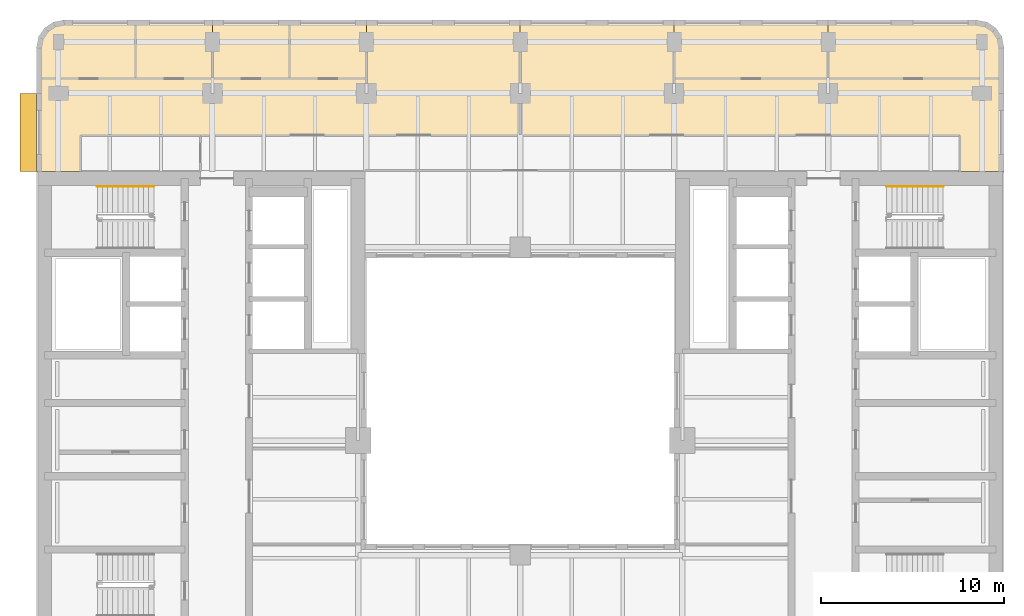
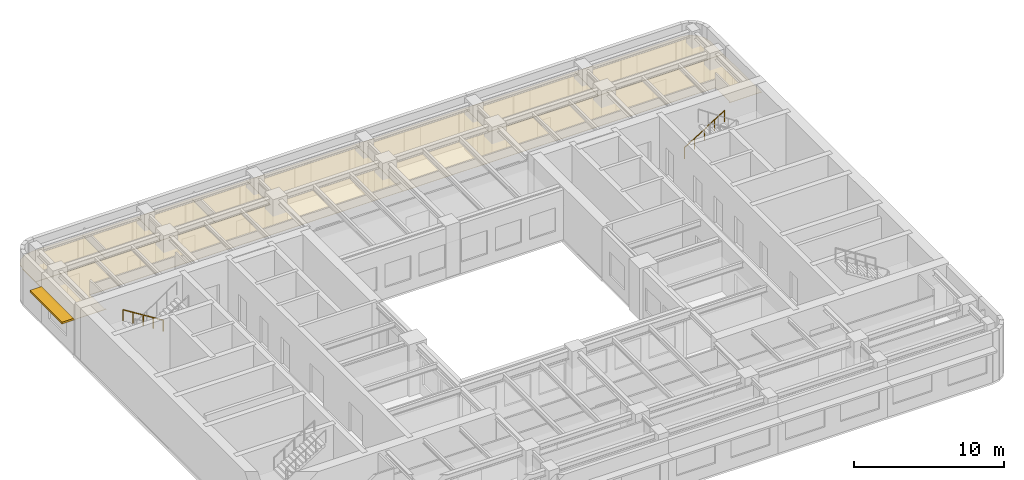
# One storey, part 11 of 11: 8 coverings, 2 railings, 1 shading device.
"""IFC4 building model written with IfcOpenShell, lengths in metres."""

from ifc_helpers import new_model, si_unit, direction, frame, origin, origin_2d, place, context, subcontext, project, spatial, polyline, rectangle, circle, outline, extrude, material, layer, layer_set, type_object, element, save


model = new_model("IFC4")

# Units and contexts
model_context = context("Model", 3, precision=1e-05, world=origin(), true_north=direction((0.0, 1.0)))
body_context = subcontext(model_context, "Body", "Model", "MODEL_VIEW")
ifc_project = project(units=[si_unit("LENGTHUNIT", "METRE"), si_unit("AREAUNIT", "SQUARE_METRE"), si_unit("VOLUMEUNIT", "CUBIC_METRE"), si_unit("PLANEANGLEUNIT", "RADIAN"), si_unit("MASSUNIT", "GRAM", prefix="KILO")], contexts=[model_context])

# Site, building, storey
site_placement = place(None, origin())
site = spatial("IfcSite", under=ifc_project, at=site_placement, CompositionType="ELEMENT")
building_placement = place(site_placement, origin())
building = spatial("IfcBuilding", under=site, at=building_placement, Name="Claustro Exchange Tower", CompositionType="ELEMENT")
storey_placement = place(building_placement, frame((0.0, 0.0, 198.60009765625)))
storey = spatial("IfcBuildingStorey", under=building, at=storey_placement, Name="L45", CompositionType="ELEMENT", Elevation=198.60009765625)

# Coverings
ifc_material_1 = material(Name="Perforated metal ceiling tiles", Category="steel")
ifc_layer_1 = layer(ifc_material_1, 0.030029296875)
ifc_layer_set_1 = layer_set([ifc_layer_1], Name="Perforated metal ceiling tiles")
covering_type_1 = type_object("IfcCoveringType", Name="CL1 suspended metal ceiling", PredefinedType="CEILING", material=ifc_layer_set_1)
covering_1_placement = place(storey_placement, frame((0.0, 0.0, 2.7998046875)))
element("IfcCovering", 1, at=covering_1_placement, inside=storey, type_object=covering_type_1, Name="Ceiling CL1 L45-17", PredefinedType="CEILING", context=body_context, shape_type="SweptSolid", body=[
    extrude(outline(polyline([(-1.125, 37.72509765625), (1.294921875, 37.72509765625), (1.294921875, 37.800048828125), (1.199951171875, 37.800048828125), (1.199951171875, 39.699951171875), (25.199951171875, 39.699951171875), (25.199951171875, 46.0), (16.800048828125, 46.0), (16.800048828125, 42.800048828125), (-1.199951171875, 42.800048828125), (-1.199951171875, 37.705078125), (-1.125, 37.705078125), (-1.125, 37.72509765625)])), origin(), (0.0, 0.0, 1.0), 0.030029296875),
])
ifc_material_2 = material(Name="Gypsum board ceiling", Category="gypsum board")
ifc_layer_2 = layer(ifc_material_2, 0.02490234375)
ifc_layer_set_2 = layer_set([ifc_layer_2], Name="Gypsum board ceiling")
covering_type_2 = type_object("IfcCoveringType", Name="CL2 plasterboard ceiling", PredefinedType="CEILING", material=ifc_layer_set_2)
covering_2_placement = place(storey_placement, frame((0.0, 0.0, 2.7998046875)))
element("IfcCovering", 2, at=covering_2_placement, inside=storey, type_object=covering_type_2, Name="Ceiling CL2 L45-18", PredefinedType="CEILING", context=body_context, shape_type="SweptSolid", body=[
    extrude(outline(polyline([(51.52490234375, 37.72509765625), (51.52490234375, 37.705078125), (51.60009765625, 37.705078125), (51.60009765625, 42.800048828125), (33.60009765625, 42.800048828125), (33.60009765625, 46.0), (25.199951171875, 46.0), (25.199951171875, 39.699951171875), (49.199951171875, 39.699951171875), (49.199951171875, 37.800048828125), (49.10498046875, 37.800048828125), (49.10498046875, 37.72509765625), (51.52490234375, 37.72509765625)])), origin(), (0.0, 0.0, 1.0), 0.025146484375),
])
covering_3_placement = place(storey_placement, frame((0.0, 0.0, 2.7998046875)))
element("IfcCovering", 3, at=covering_3_placement, inside=storey, type_object=covering_type_2, Name="Ceiling CL2 L45-19", PredefinedType="CEILING", context=body_context, shape_type="SweptSolid", body=[
    extrude(outline(polyline([(-1.199951171875, 44.5), (-1.199951171875, 42.800048828125), (4.199951171875, 42.800048828125), (4.199951171875, 46.0), (0.300048828125, 46.0), (-0.27392578125, 45.8857421875), (-0.7607421875, 45.560791015625), (-1.085693359375, 45.073974609375), (-1.199951171875, 44.5)])), origin(), (0.0, 0.0, 1.0), 0.025146484375),
])
covering_4_placement = place(storey_placement, frame((0.0, 0.0, 2.7998046875)))
element("IfcCovering", 4, at=covering_4_placement, inside=storey, type_object=covering_type_2, Name="Ceiling CL2 L45-20", PredefinedType="CEILING", context=body_context, shape_type="SweptSolid", body=[
    extrude(outline(polyline([(8.39990234375, 46.0), (4.199951171875, 46.0), (4.199951171875, 42.800048828125), (8.39990234375, 42.800048828125), (8.39990234375, 46.0)])), origin(), (0.0, 0.0, 1.0), 0.025146484375),
])
covering_5_placement = place(storey_placement, frame((0.0, 0.0, 2.7998046875)))
element("IfcCovering", 5, at=covering_5_placement, inside=storey, type_object=covering_type_2, Name="Ceiling CL2 L45-21", PredefinedType="CEILING", context=body_context, shape_type="SweptSolid", body=[
    extrude(outline(polyline([(12.60009765625, 46.0), (8.39990234375, 46.0), (8.39990234375, 42.800048828125), (12.60009765625, 42.800048828125), (12.60009765625, 46.0)])), origin(), (0.0, 0.0, 1.0), 0.025146484375),
])
covering_6_placement = place(storey_placement, frame((0.0, 0.0, 2.7998046875)))
element("IfcCovering", 6, at=covering_6_placement, inside=storey, type_object=covering_type_2, Name="Ceiling CL2 L45-22", PredefinedType="CEILING", context=body_context, shape_type="SweptSolid", body=[
    extrude(outline(polyline([(16.800048828125, 46.0), (12.60009765625, 46.0), (12.60009765625, 42.800048828125), (16.800048828125, 42.800048828125), (16.800048828125, 46.0)])), origin(), (0.0, 0.0, 1.0), 0.025146484375),
])
covering_7_placement = place(storey_placement, frame((0.0, 0.0, 2.7998046875)))
element("IfcCovering", 7, at=covering_7_placement, inside=storey, type_object=covering_type_2, Name="Ceiling CL2 L45-23", PredefinedType="CEILING", context=body_context, shape_type="SweptSolid", body=[
    extrude(outline(polyline([(42.0, 46.0), (33.60009765625, 46.0), (33.60009765625, 42.800048828125), (42.0, 42.800048828125), (42.0, 46.0)])), origin(), (0.0, 0.0, 1.0), 0.025146484375),
])
covering_8_placement = place(storey_placement, frame((0.0, 0.0, 2.7998046875)))
element("IfcCovering", 8, at=covering_8_placement, inside=storey, type_object=covering_type_2, Name="Ceiling CL2 L45-24", PredefinedType="CEILING", context=body_context, shape_type="SweptSolid", body=[
    extrude(outline(polyline([(50.10009765625, 46.0), (42.0, 46.0), (42.0, 42.800048828125), (51.60009765625, 42.800048828125), (51.60009765625, 44.5), (51.48583984375, 45.073974609375), (51.16064453125, 45.560791015625), (50.674072265625, 45.8857421875), (50.10009765625, 46.0)])), origin(), (0.0, 0.0, 1.0), 0.025146484375),
])

# Railings
ifc_material_3 = material(Name="Stainless steel tube", Category="steel")
railing_type = type_object("IfcRailingType", Name="HR1 900 stair handrail", PredefinedType="HANDRAIL", material=ifc_material_3)
railing_1_placement = place(storey_placement, frame((5.199951171875, 36.9150390625, 0.1748046875)))
element("IfcRailing", 9, at=railing_1_placement, inside=storey, type_object=railing_type, Name="Handrail HR1 stair STWB L45", PredefinedType="HANDRAIL", context=body_context, shape_type="SweptSolid", body=[
    extrude(circle(Radius=0.02392578125, at=origin_2d()), frame((0.0, 0.0, 0.8759765625), z_axis=(-0.847979421464, 0.0, 0.530029150871), x_axis=(0.0, -1.0, 0.0)), (0.0, 0.0, 1.0), 3.632080078125),
    extrude(circle(Radius=0.02099609375, at=origin_2d()), origin(), (0.0, 0.0, 1.0), 0.851806640625),
    extrude(circle(Radius=0.02099609375, at=origin_2d()), frame((-0.77001953125, 0.0, 0.481201171875)), (0.0, 0.0, 1.0), 0.851806640625),
    extrude(circle(Radius=0.02099609375, at=origin_2d()), frame((-1.5400390625, 0.0, 0.96240234375)), (0.0, 0.0, 1.0), 0.851806640625),
    extrude(circle(Radius=0.02099609375, at=origin_2d()), frame((-2.309814453125, 0.0, 1.44384765625)), (0.0, 0.0, 1.0), 0.851806640625),
    extrude(circle(Radius=0.02099609375, at=origin_2d()), frame((-3.079833984375, 0.0, 1.925048828125)), (0.0, 0.0, 1.0), 0.851806640625),
])
railing_2_placement = place(storey_placement, frame((45.199951171875, 36.9150390625, 0.1748046875)))
element("IfcRailing", 10, at=railing_2_placement, inside=storey, type_object=railing_type, Name="Handrail HR1 stair STEB L45", PredefinedType="HANDRAIL", context=body_context, shape_type="SweptSolid", body=[
    extrude(circle(Radius=0.02392578125, at=origin_2d()), frame((0.0, 0.0, 0.8759765625), z_axis=(0.847998304005, 0.0, 0.529998940003), x_axis=(0.0, 1.0, 0.0)), (0.0, 0.0, 1.0), 3.632080078125),
    extrude(circle(Radius=0.02099609375, at=origin_2d()), origin(), (0.0, 0.0, 1.0), 0.851806640625),
    extrude(circle(Radius=0.02099609375, at=origin_2d()), frame((0.77001953125, 0.0, 0.481201171875)), (0.0, 0.0, 1.0), 0.851806640625),
    extrude(circle(Radius=0.02099609375, at=origin_2d()), frame((1.5400390625, 0.0, 0.96240234375)), (0.0, 0.0, 1.0), 0.851806640625),
    extrude(circle(Radius=0.02099609375, at=origin_2d()), frame((2.31005859375, 0.0, 1.44384765625)), (0.0, 0.0, 1.0), 0.851806640625),
    extrude(circle(Radius=0.02099609375, at=origin_2d()), frame((3.080078125, 0.0, 1.925048828125)), (0.0, 0.0, 1.0), 0.851806640625),
])

# Shading device
ifc_material_4 = material(Name="Concrete HA-40 (C40/50), precast, white cement, acid-etched", Category="concrete")
ifc_layer_3 = layer(ifc_material_4, 0.14990234375)
ifc_layer_set_3 = layer_set([ifc_layer_3], Name="Concrete HA-40 (C40/50), precast, white cement, acid-etched")
shading_device_type = type_object("IfcShadingDeviceType", Name="SS2 900 precast concrete SUNSHADE", PredefinedType="SHUTTER", material=ifc_layer_set_3)
shading_device_placement = place(storey_placement, frame((-1.64990234375, 39.862548828125, 2.800048828125), z_axis=(0.0, 0.0, 1.0), x_axis=(0.0, 1.0, 0.0)))
element("IfcShadingDevice", 11, at=shading_device_placement, inside=storey, type_object=shading_device_type, Name="Precast SUNSHADE SS2 L45", PredefinedType="SHUTTER", context=body_context, shape_type="SweptSolid", body=[
    extrude(rectangle(XDim=4.27490234375, YDim=0.89990234375, at=origin_2d()), origin(), (0.0, 0.0, 1.0), 0.14990234375),
])

save(model, "model.ifc")
